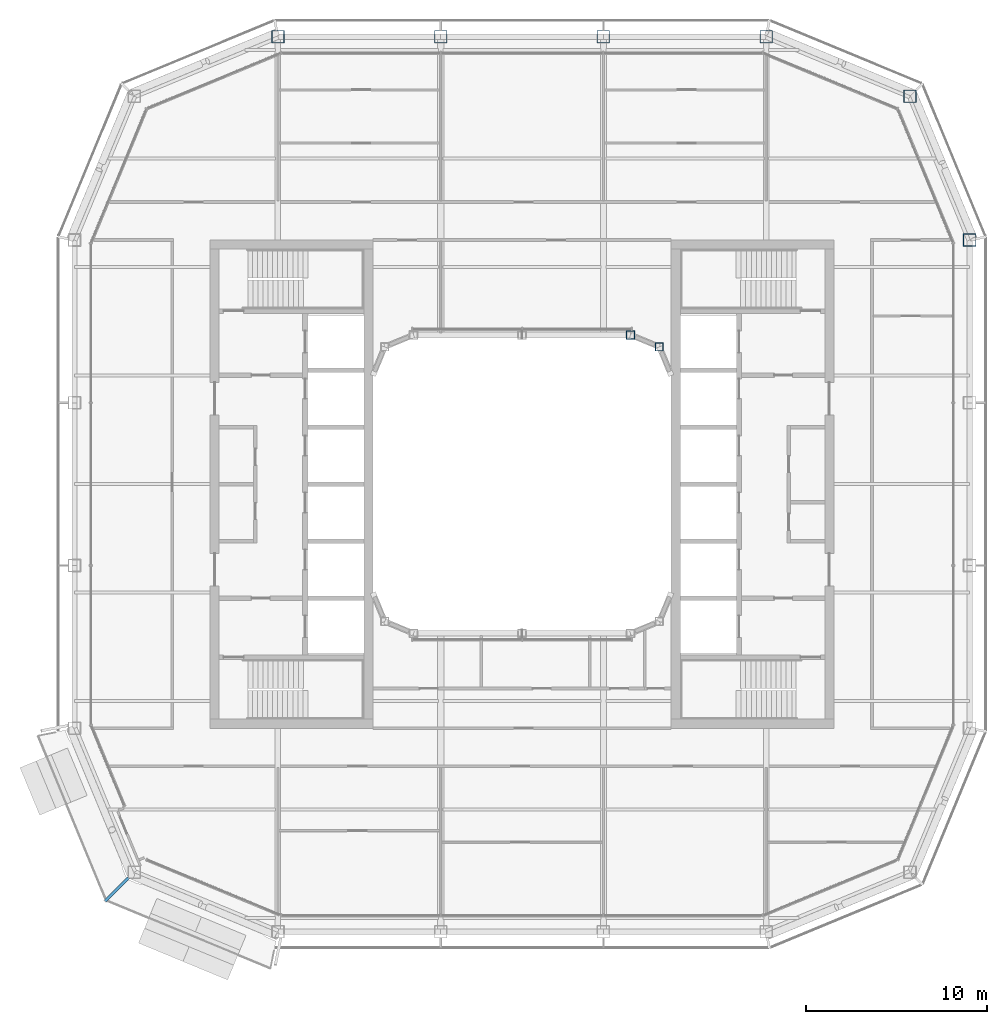
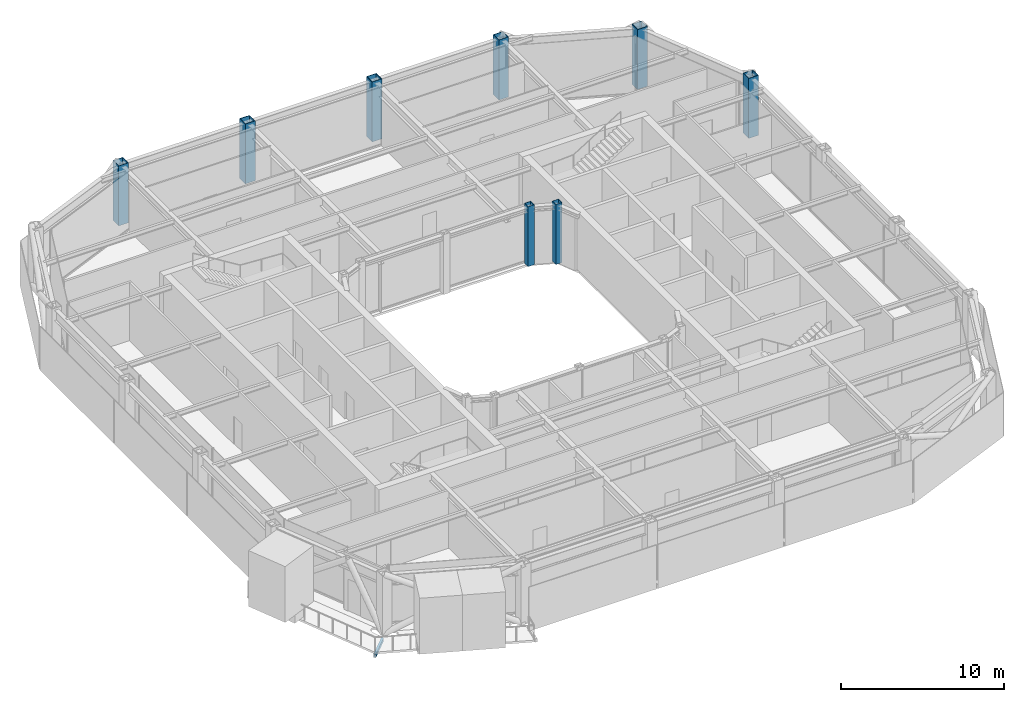
# One storey, part 2 of 21: 8 columns, 1 beam.
"""IFC4 building model written with IfcOpenShell, lengths in metres."""

import ifcopenshell
import ifcopenshell.guid

model = None  # the IFC model being written
_history = None  # IfcOwnerHistory: only IFC2X3 demands one
_inside = {}  # id of a spatial element -> (the spatial element, [elements in it])
_under = {}  # id of a project, library or spatial element -> (it, [spatial elements below it])
_declared = {}  # id of a project -> (the project, [libraries it declares])
_typed = {}  # id of a type object -> (the type object, [elements of that type])
_made_of = {}  # id of a material, layer set ... -> (it, [elements and type objects made of it])


def new_model(schema):
    """Start an empty IFC model of exactly this schema.

    Asked for "IFC4X3", IfcOpenShell would pick the latest addendum, in which some entities
    have other attributes; the version numbers below select the first issue.
    IFC2X3 requires an IfcOwnerHistory on every rooted entity: one is made here for all.
    """
    global model, _history
    if schema == "IFC4X3":
        model = ifcopenshell.file(schema_version=(4, 3, 0, 0))
    else:
        model = ifcopenshell.file(schema=schema)
    _inside.clear()
    _under.clear()
    _declared.clear()
    _typed.clear()
    _made_of.clear()
    _history = None
    if model.schema == "IFC2X3":
        org = make("IfcOrganization", Name="unknown")
        user = make(
            "IfcPersonAndOrganization",
            ThePerson=make("IfcPerson", FamilyName="unknown"),
            TheOrganization=org,
        )
        app = make(
            "IfcApplication",
            ApplicationDeveloper=org,
            Version="unknown",
            ApplicationFullName="unknown",
            ApplicationIdentifier="unknown",
        )
        _history = make(
            "IfcOwnerHistory",
            OwningUser=user,
            OwningApplication=app,
            ChangeAction="ADDED",
            CreationDate=0,
        )
    return model


def make(cls, **values):
    """One entity of the class cls with the attributes given. An attribute that is None is left unset."""
    return model.create_entity(
        cls, **{name: value for name, value in values.items() if value is not None}
    )


def rooted(cls, **values):
    """An entity with a GlobalId (a new one), such as an element, a storey or a relation."""
    return make(cls, GlobalId=ifcopenshell.guid.new(), OwnerHistory=_history, **values)


def si_unit(unit_type, name, prefix=None):
    """IfcSIUnit, for example si_unit("LENGTHUNIT", "METRE", prefix="MILLI")."""
    return make("IfcSIUnit", UnitType=unit_type, Prefix=prefix, Name=name)


def assignment(units):
    """IfcUnitAssignment: the units of a project."""
    return None if units is None else make("IfcUnitAssignment", Units=units)


def point(xyz):
    """IfcCartesianPoint."""
    return None if xyz is None else make("IfcCartesianPoint", Coordinates=xyz)


def direction(xyz):
    """IfcDirection."""
    return None if xyz is None else make("IfcDirection", DirectionRatios=xyz)


def frame(location, z_axis=None, x_axis=None):
    """IfcAxis2Placement3D, a coordinate frame: its origin and axes. An axis left out is left unset."""
    return make(
        "IfcAxis2Placement3D",
        Location=point(location),
        Axis=direction(z_axis),
        RefDirection=direction(x_axis),
    )


def frame_2d(location, x_axis=None):
    """IfcAxis2Placement2D, a coordinate frame in the plane: its origin and x axis."""
    return make(
        "IfcAxis2Placement2D", Location=point(location), RefDirection=direction(x_axis)
    )


def origin():
    """The frame at (0, 0, 0) with its axes left unset."""
    return frame((0.0, 0.0, 0.0))


def origin_2d():
    """The frame at (0, 0) in the plane with its x axis left unset."""
    return frame_2d((0.0, 0.0))


def place(relative_to, where):
    """IfcLocalPlacement: puts the frame where relative to a parent placement (None: the world)."""
    return make(
        "IfcLocalPlacement", PlacementRelTo=relative_to, RelativePlacement=where
    )


def context(
    kind, dimensions, precision=None, world=None, true_north=None, identifier=None
):
    """IfcGeometricRepresentationContext, for example the 3D "Model" context."""
    return make(
        "IfcGeometricRepresentationContext",
        ContextIdentifier=identifier,
        ContextType=kind,
        CoordinateSpaceDimension=dimensions,
        Precision=precision,
        WorldCoordinateSystem=world,
        TrueNorth=true_north,
    )


def subcontext(parent, identifier, kind, view, scale=None):
    """IfcGeometricRepresentationSubContext, for example "Body" below "Model"."""
    return make(
        "IfcGeometricRepresentationSubContext",
        ContextIdentifier=identifier,
        ContextType=kind,
        ParentContext=parent,
        TargetScale=scale,
        TargetView=view,
    )


def project(units=None, contexts=None):
    """IfcProject with its units and contexts."""
    return rooted(
        "IfcProject",
        Name="project",
        RepresentationContexts=contexts,
        UnitsInContext=assignment(units),
    )


def spatial(cls, under=None, at=None, **own):
    """A site, building, storey or space (cls), placed at a placement, below another one or the project."""
    s = rooted(cls, ObjectPlacement=at, **own)
    if under is not None:
        _under.setdefault(under.id(), (under, []))[1].append(s)
    return s


def profile(cls, at=None, kind="AREA", **sizes):
    """A parametric profile (cls). Its sizes go by their IFC names, for example OverallWidth=200.0."""
    return make(cls, ProfileType=kind, Position=at, **sizes)


def hollow_rectangle(**sizes):
    """IfcRectangleHollowProfileDef."""
    return profile("IfcRectangleHollowProfileDef", **sizes)


def extrude(swept, where, along, depth):
    """IfcExtrudedAreaSolid: the profile swept, set in the frame where, extruded along a direction by depth."""
    return make(
        "IfcExtrudedAreaSolid",
        SweptArea=swept,
        Position=where,
        ExtrudedDirection=direction(along),
        Depth=depth,
    )


def shape(context_of_items, identifier, shape_type, items):
    """IfcShapeRepresentation: the items that make up one representation, for example the "Body"."""
    return make(
        "IfcShapeRepresentation",
        ContextOfItems=context_of_items,
        RepresentationIdentifier=identifier,
        RepresentationType=shape_type,
        Items=items,
    )


def material(Name=None, Category=None):
    """IfcMaterial."""
    return make("IfcMaterial", Name=Name, Category=Category)


def material_profile(
    of_material, cross_section, Name=None, Category=None, Priority=None
):
    """IfcMaterialProfile: a cross section and its material."""
    return make(
        "IfcMaterialProfile",
        Name=Name,
        Material=of_material,
        Profile=cross_section,
        Priority=Priority,
        Category=Category,
    )


def profile_set(profiles, Name=None, composite=None):
    """IfcMaterialProfileSet."""
    return make(
        "IfcMaterialProfileSet",
        Name=Name,
        MaterialProfiles=profiles,
        CompositeProfile=composite,
    )


def made_of(thing, what):
    """Note that an element or type object is made of a material, layer set ...; save() writes the relation."""
    if what is not None:
        _made_of.setdefault(what.id(), (what, []))[1].append(thing)
    return thing


def type_object(cls, material=None, **own):
    """A type object (cls), such as IfcWallType, which elements share."""
    return made_of(rooted(cls, **own), material)


def element(
    cls,
    number,
    at=None,
    inside=None,
    cuts=None,
    type_object=None,
    material=None,
    context=None,
    identifier="Body",
    shape_type=None,
    held_by="IfcProductDefinitionShape",
    body=None,
    shapes=None,
    **own,
):
    """One element of the class cls, such as IfcWall. Its Tag is "e" and its number.

    at: its placement. inside: the storey or other place that contains it. cuts: it is an
    opening in that element (IfcRelVoidsElement). A single representation is given by context,
    identifier, shape_type and body (its items); several are given by shapes. held_by: the class
    of the entity that holds the representations. save() writes the other relations.
    """
    e = rooted(cls, Tag="e%d" % number, ObjectPlacement=at, **own)
    if body is not None:
        shapes = [shape(context, identifier, shape_type, body)]
    if shapes is not None:
        e.Representation = make(held_by, Representations=shapes)
    if inside is not None:
        _inside.setdefault(inside.id(), (inside, []))[1].append(e)
    if cuts is not None:
        rooted(
            "IfcRelVoidsElement", RelatingBuildingElement=cuts, RelatedOpeningElement=e
        )
    if type_object is not None:
        _typed.setdefault(type_object.id(), (type_object, []))[1].append(e)
    return made_of(e, material)


def aggregate(whole, parts):
    """IfcRelAggregates: a whole, such as a stair, and the parts it consists of."""
    return rooted("IfcRelAggregates", RelatingObject=whole, RelatedObjects=parts)


def save(model, path):
    """Write the relations noted so far, then the file.

    IfcRelAggregates (storeys below a building ...), IfcRelContainedInSpatialStructure (elements
    in a storey), IfcRelDefinesByType, IfcRelAssociatesMaterial and IfcRelDeclares: one each for
    every whole, place, type object, material and project.
    """
    for whole, parts in _under.values():
        aggregate(whole, parts)
    for where, things in _inside.values():
        rooted(
            "IfcRelContainedInSpatialStructure",
            RelatedElements=things,
            RelatingStructure=where,
        )
    for kind, things in _typed.values():
        rooted("IfcRelDefinesByType", RelatedObjects=things, RelatingType=kind)
    for what, things in _made_of.values():
        rooted("IfcRelAssociatesMaterial", RelatedObjects=things, RelatingMaterial=what)
    for by, libraries in _declared.values():
        rooted("IfcRelDeclares", RelatingContext=by, RelatedDefinitions=libraries)
    model.write(path)


model = new_model("IFC4")

# Units and contexts
model_context = context("Model", 3, precision=1e-05, world=origin(), true_north=direction((0.0, 1.0)))
body_context = subcontext(model_context, "Body", "Model", "MODEL_VIEW")
ifc_project = project(units=[si_unit("LENGTHUNIT", "METRE"), si_unit("AREAUNIT", "SQUARE_METRE"), si_unit("VOLUMEUNIT", "CUBIC_METRE"), si_unit("PLANEANGLEUNIT", "RADIAN"), si_unit("MASSUNIT", "GRAM", prefix="KILO")], contexts=[model_context])

# Site, building, storey
site_placement = place(None, origin())
site = spatial("IfcSite", under=ifc_project, at=site_placement, CompositionType="ELEMENT")
building_placement = place(site_placement, origin())
building = spatial("IfcBuilding", under=site, at=building_placement, Name="Siwar Civic Tower", CompositionType="ELEMENT")
storey_placement = place(building_placement, frame((0.0, 0.0, 334.699951171875)))
storey = spatial("IfcBuildingStorey", under=building, at=storey_placement, Name="L72", CompositionType="ELEMENT", Elevation=334.699951171875)

# Columns
ifc_material_1 = material(Name="Steel S355", Category="steel")
ifc_material_profile_1 = material_profile(ifc_material_1, hollow_rectangle(XDim=0.699951171875, YDim=0.699951171875, WallThickness=0.035888671875, at=origin_2d()), Name="BOX700x700x36")
ifc_profile_set_1 = profile_set([ifc_material_profile_1], Name="Steel S355")
column_type_1 = type_object("IfcColumnType", Name="STR-COL-BOX700x700x36", PredefinedType="COLUMN", material=ifc_profile_set_1)
for number, where, z_axis, x_axis, name in (
    (1, (24.75, 13.5, 0.0), (0.0, 0.0, 1.0), (1.0, 0.0, 0.0), "L72/col/NE1-0"),
    (2, (21.454833984375, 21.454833984375, 0.0), (0.0, 0.0, 1.0), (1.0, 0.0, 0.0), "L72/col/NE2-0"),
    (3, (13.5, 24.75, 0.0), (0.0, 0.0, 1.0), (1.0, 0.0, 0.0), "L72/col/N-0"),
    (4, (4.5, 24.75, 0.0), (0.0, 0.0, 1.0), (1.0, 0.0, 0.0), "L72/col/N-1"),
    (5, (-4.5, 24.75, 0.0), (0.0, 0.0, 1.0), (1.0, 0.0, 0.0), "L72/col/N-2"),
    (6, (-13.5, 24.75, 0.0), (0.0, 0.0, 1.0), (1.0, 0.0, 0.0), "L72/col/NW1-0"),
):
    element("IfcColumn", number, at=place(storey_placement, frame(where, z_axis=z_axis, x_axis=x_axis)), inside=storey, type_object=column_type_1, Name=name, PredefinedType="COLUMN", context=body_context, shape_type="SweptSolid", body=[
        extrude(hollow_rectangle(XDim=0.699951171875, YDim=0.699951171875, WallThickness=0.035888671875, at=origin_2d()), origin(), (0.0, 0.0, 1.0), 4.5),
    ])
ifc_material_2 = material(Name="Steel S355", Category="steel")
ifc_material_profile_2 = material_profile(ifc_material_2, hollow_rectangle(XDim=0.449951171875, YDim=0.449951171875, WallThickness=0.02197265625, at=origin_2d()), Name="BOX450x450x22")
ifc_profile_set_2 = profile_set([ifc_material_profile_2], Name="Steel S355")
column_type_2 = type_object("IfcColumnType", Name="STR-ICOL-BOX450x450x22", PredefinedType="COLUMN", material=ifc_profile_set_2)
for number, where, z_axis, x_axis, name in (
    (7, (6.0, 8.25, 0.0), (0.0, 0.0, 1.0), (1.0, 0.0, 0.0), "L72/col/IN-3"),
    (8, (7.591064453125, 7.591064453125, 0.0), (0.0, 0.0, 1.0), (1.0, 0.0, 0.0), "L72/col/IN-4"),
):
    element("IfcColumn", number, at=place(storey_placement, frame(where, z_axis=z_axis, x_axis=x_axis)), inside=storey, type_object=column_type_2, Name=name, PredefinedType="COLUMN", context=body_context, shape_type="SweptSolid", body=[
        extrude(hollow_rectangle(XDim=0.449951171875, YDim=0.449951171875, WallThickness=0.02197265625, at=origin_2d()), origin(), (0.0, 0.0, 1.0), 4.5),
    ])

# Beam
ifc_material_3 = material(Name="Steel S355", Category="steel")
ifc_material_profile_3 = material_profile(ifc_material_3, hollow_rectangle(XDim=0.14990234375, YDim=0.25, WallThickness=0.010009765625, at=origin_2d()), Name="RHS250x150x10")
ifc_profile_set_3 = profile_set([ifc_material_profile_3], Name="Steel S355")
beam_type = type_object("IfcBeamType", Name="ENV-BALCONY ARM", PredefinedType="BEAM", material=ifc_profile_set_3)
beam_placement = place(storey_placement, frame((-21.76953125, -21.76953125, -0.27490234375), z_axis=(-0.707106781187, -0.707106781187, 0.0), x_axis=(0.707106781187, -0.707106781187, 0.0)))
element("IfcBeam", 9, at=beam_placement, inside=storey, type_object=beam_type, Name="Balcony cantilever beam SW 2", PredefinedType="BEAM", context=body_context, shape_type="SweptSolid", body=[
    extrude(hollow_rectangle(XDim=0.14990234375, YDim=0.25, WallThickness=0.010009765625, at=origin_2d()), origin(), (0.0, 0.0, 1.0), 1.828125),
])

save(model, "model.ifc")
